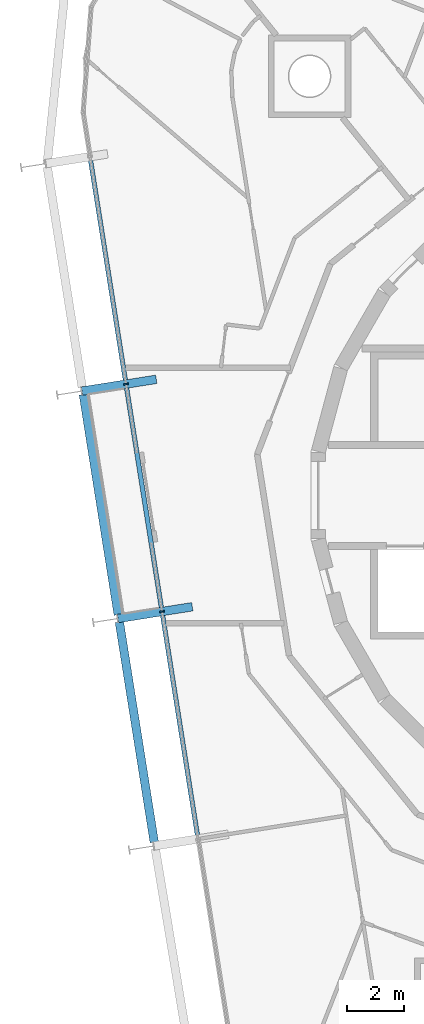
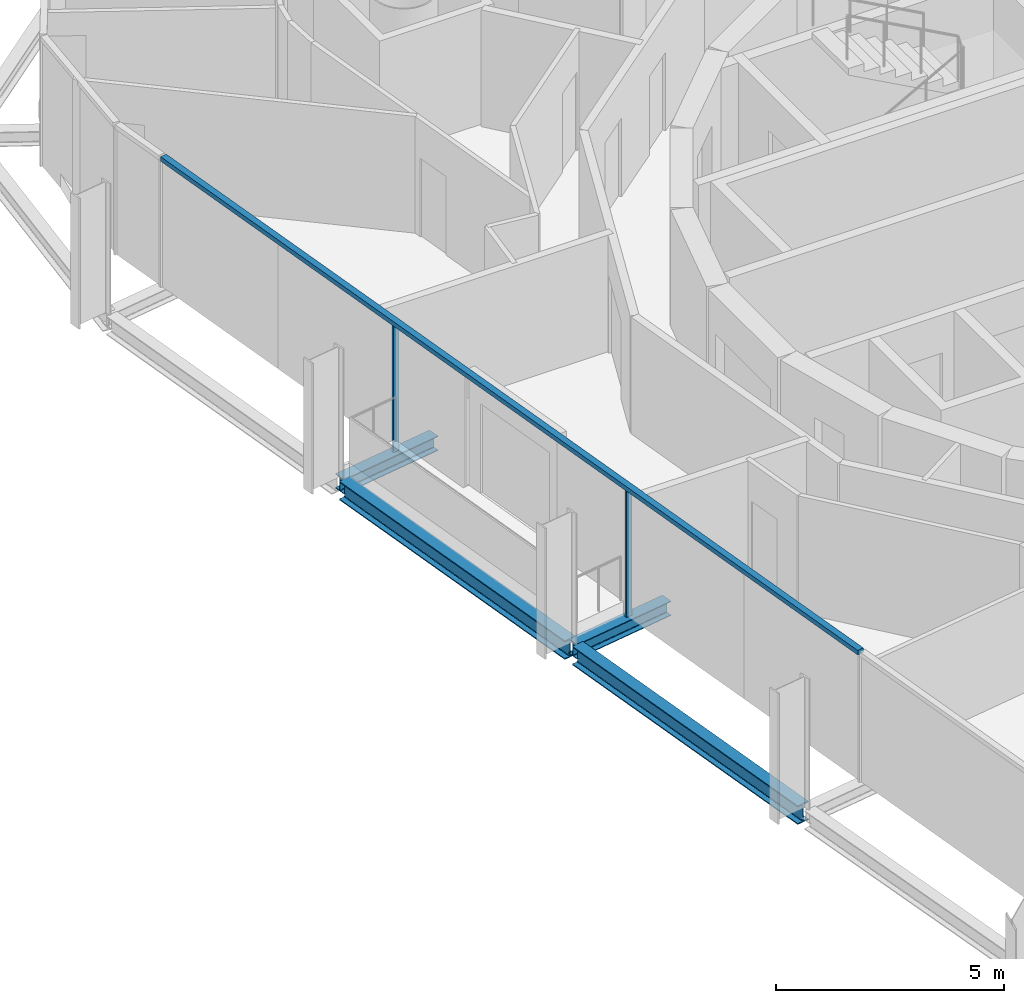
# One storey, part 3 of 17: 4 beams, 3 members, 1 element without a shape of its own.
"""IFC4 building model written with IfcOpenShell, lengths in metres."""

from ifc_helpers import new_model, si_unit, direction, frame, origin, origin_2d, place, context, subcontext, project, spatial, rectangle, i_section, extrude, material, layer, layer_set, material_profile, profile_set, type_object, element, aggregate, save


model = new_model("IFC4")

# Units and contexts
model_context = context("Model", 3, precision=1e-05, world=origin(), true_north=direction((0.0, 1.0)))
body_context = subcontext(model_context, "Body", "Model", "MODEL_VIEW")
ifc_project = project(units=[si_unit("LENGTHUNIT", "METRE"), si_unit("AREAUNIT", "SQUARE_METRE"), si_unit("VOLUMEUNIT", "CUBIC_METRE"), si_unit("PLANEANGLEUNIT", "RADIAN"), si_unit("MASSUNIT", "GRAM", prefix="KILO")], contexts=[model_context])

# Site, building, storey
site_placement = place(None, origin())
site = spatial("IfcSite", under=ifc_project, at=site_placement, CompositionType="ELEMENT")
building_placement = place(site_placement, origin())
building = spatial("IfcBuilding", under=site, at=building_placement, Name="Spindle Arch Residences", CompositionType="ELEMENT")
storey_placement = place(building_placement, frame((0.0, 0.0, 270.39990234375)))
storey = spatial("IfcBuildingStorey", under=building, at=storey_placement, Name="L69", CompositionType="ELEMENT", Elevation=270.39990234375)

# Curtain wall, members
ifc_material_1 = material(Name="Aluminium bronze unitised frame with tinted glass", Category="aluminium")
ifc_layer = layer(ifc_material_1, 0.159912109375)
ifc_layer_set = layer_set([ifc_layer], Name="CW-C typical residential unitised wall")
curtain_wall_type = type_object("IfcCurtainWallType", Name="CW-C typical residential unitised wall", PredefinedType="NOTDEFINED", material=ifc_layer_set)
curtain_wall_placement = place(storey_placement, origin())
curtain_wall = element("IfcCurtainWall", 1, at=curtain_wall_placement, inside=storey, type_object=curtain_wall_type, Name="CW-C L69 run 4", PredefinedType="NOTDEFINED")
ifc_material_2 = material(Name="Aluminium bronze anodised mullion", Category="aluminium")
ifc_material_profile_1 = material_profile(ifc_material_2, rectangle(XDim=0.159912109375, YDim=0.06005859375, at=origin_2d()), Name="MU 60x160")
ifc_profile_set_1 = profile_set([ifc_material_profile_1], Name="Aluminium bronze anodised mullion")
member_type_1 = type_object("IfcMemberType", Name="Bronze mullion 60x160", PredefinedType="MULLION", material=ifc_profile_set_1)
member_1_placement = place(storey_placement, frame((-18.417236328125, 3.923583984375, -0.3798828125), z_axis=(0.0, 0.0, 1.0), x_axis=(0.987688340595, 0.15643446504, 0.0)))
member_1 = element("IfcMember", 2, at=member_1_placement, type_object=member_type_1, Name="CW-C mullion 12", PredefinedType="MULLION", context=body_context, shape_type="SweptSolid", body=[
    extrude(rectangle(XDim=0.159912109375, YDim=0.06005859375, at=origin_2d()), origin(), (0.0, 0.0, 1.0), 3.3798828125),
])
member_2_placement = place(storey_placement, frame((-17.14892578125, -4.084228515625, -0.3798828125), z_axis=(0.0, 0.0, 1.0), x_axis=(0.987688340595, 0.15643446504, 0.0)))
member_2 = element("IfcMember", 3, at=member_2_placement, type_object=member_type_1, Name="CW-C mullion 13", PredefinedType="MULLION", context=body_context, shape_type="SweptSolid", body=[
    extrude(rectangle(XDim=0.159912109375, YDim=0.06005859375, at=origin_2d()), origin(), (0.0, 0.0, 1.0), 3.3798828125),
])
ifc_material_3 = material(Name="Aluminium bronze anodised transom", Category="aluminium")
ifc_material_profile_2 = material_profile(ifc_material_3, rectangle(XDim=0.159912109375, YDim=0.1201171875, at=origin_2d()), Name="TR 120x160")
ifc_profile_set_2 = profile_set([ifc_material_profile_2], Name="Aluminium bronze anodised transom")
member_type_2 = type_object("IfcMemberType", Name="Bronze transom 120x160", PredefinedType="USERDEFINED", material=ifc_profile_set_2)
member_3_placement = place(storey_placement, frame((-19.6806640625, 11.901611328125, 3.06005859375), z_axis=(0.156430704214, -0.987688936244, 0.0), x_axis=(0.987688936244, 0.156430704214, 0.0)))
member_3 = element("IfcMember", 4, at=member_3_placement, type_object=member_type_2, Name="CW-C transom 00", ObjectType="TRANSOM", PredefinedType="USERDEFINED", context=body_context, shape_type="SweptSolid", body=[
    extrude(rectangle(XDim=0.159912109375, YDim=0.1201171875, at=origin_2d()), origin(), (0.0, 0.0, 1.0), 24.262451171875),
])
aggregate(curtain_wall, [member_3, member_1, member_2])

# Beams
ifc_material_4 = material(Name="Steel S460ML, intumescent coating R 120", Category="steel")
ifc_material_profile_3 = material_profile(ifc_material_4, i_section(OverallWidth=0.300048828125, OverallDepth=0.5, WebThickness=0.014404296875, FlangeThickness=0.028076171875, FilletRadius=0.027099609375, at=origin_2d()), Name="HEB 500")
ifc_profile_set_3 = profile_set([ifc_material_profile_3], Name="Steel S460ML, intumescent coating R 120")
beam_type_1 = type_object("IfcBeamType", Name="Exoskeleton edge beam HEB 500", PredefinedType="BEAM", material=ifc_profile_set_3)
for number, where, z_axis, x_axis, name in (
    (5, (-19.91796875, 3.55419921875, -0.6298828125), (0.156453001738, -0.987685404492, 0.0), (0.987685404492, 0.156453001738, 0.0), "Exoskeleton edge beam 13"),
    (6, (-18.6494140625, -4.45361328125, -0.6298828125), (0.156422652856, -0.987690211389, 0.0), (0.987690211389, 0.156422652856, 0.0), "Exoskeleton edge beam 14"),
):
    element("IfcBeam", number, at=place(storey_placement, frame(where, z_axis=z_axis, x_axis=x_axis)), inside=storey, type_object=beam_type_1, Name=name, PredefinedType="BEAM", context=body_context, shape_type="SweptSolid", body=[
        extrude(i_section(OverallWidth=0.300048828125, OverallDepth=0.5, WebThickness=0.014404296875, FlangeThickness=0.028076171875, FilletRadius=0.027099609375, at=origin_2d()), origin(), (0.0, 0.0, 1.0), 7.84765625),
    ])
ifc_material_5 = material(Name="Steel S460ML, intumescent coating R 120", Category="steel")
ifc_material_profile_4 = material_profile(ifc_material_5, i_section(OverallWidth=0.300048828125, OverallDepth=0.389892578125, WebThickness=0.010986328125, FlangeThickness=0.01904296875, FilletRadius=0.027099609375, at=origin_2d()), Name="HEA 400")
ifc_profile_set_4 = profile_set([ifc_material_profile_4], Name="Steel S460ML, intumescent coating R 120")
beam_type_2 = type_object("IfcBeamType", Name="Floor outrigger HEA 400", PredefinedType="BEAM", material=ifc_profile_set_4)
beam_1_placement = place(storey_placement, frame((-19.9677734375, 3.677978515625, -0.574951171875), z_axis=(0.987686649348, 0.156445142779, 0.0), x_axis=(-0.156445142779, 0.987686649348, 0.0)))
element("IfcBeam", 7, at=beam_1_placement, inside=storey, type_object=beam_type_2, Name="Floor outrigger 13", PredefinedType="BEAM", context=body_context, shape_type="SweptSolid", body=[
    extrude(i_section(OverallWidth=0.300048828125, OverallDepth=0.389892578125, WebThickness=0.010986328125, FlangeThickness=0.01904296875, FilletRadius=0.027099609375, at=origin_2d()), origin(), (0.0, 0.0, 1.0), 2.64990234375),
])
beam_2_placement = place(storey_placement, frame((-18.699462890625, -4.329833984375, -0.574951171875), z_axis=(0.987688904051, 0.156430907479, 0.0), x_axis=(-0.156430907479, 0.987688904051, 0.0)))
element("IfcBeam", 8, at=beam_2_placement, inside=storey, type_object=beam_type_2, Name="Floor outrigger 14", PredefinedType="BEAM", context=body_context, shape_type="SweptSolid", body=[
    extrude(i_section(OverallWidth=0.300048828125, OverallDepth=0.389892578125, WebThickness=0.010986328125, FlangeThickness=0.01904296875, FilletRadius=0.027099609375, at=origin_2d()), origin(), (0.0, 0.0, 1.0), 2.650146484375),
])

save(model, "model.ifc")
